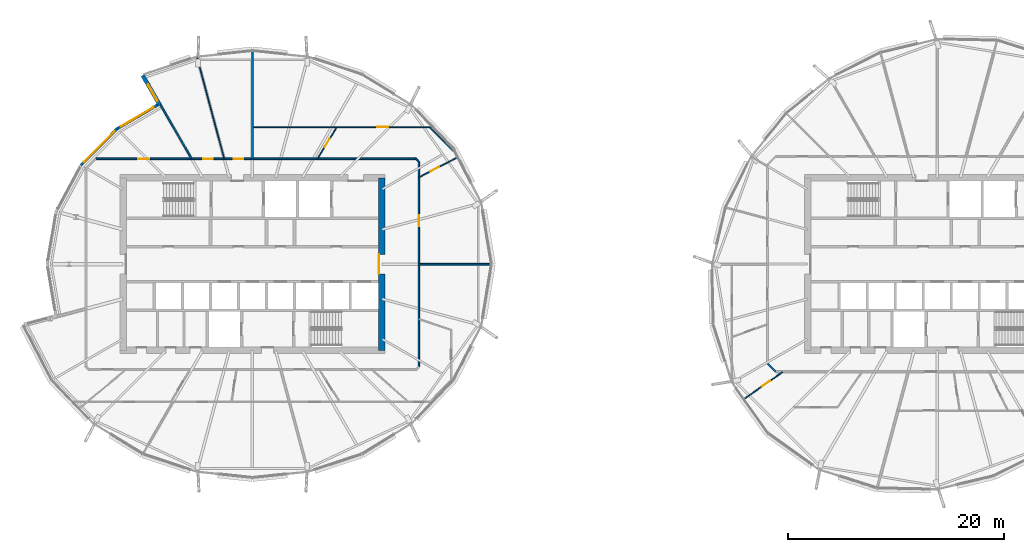
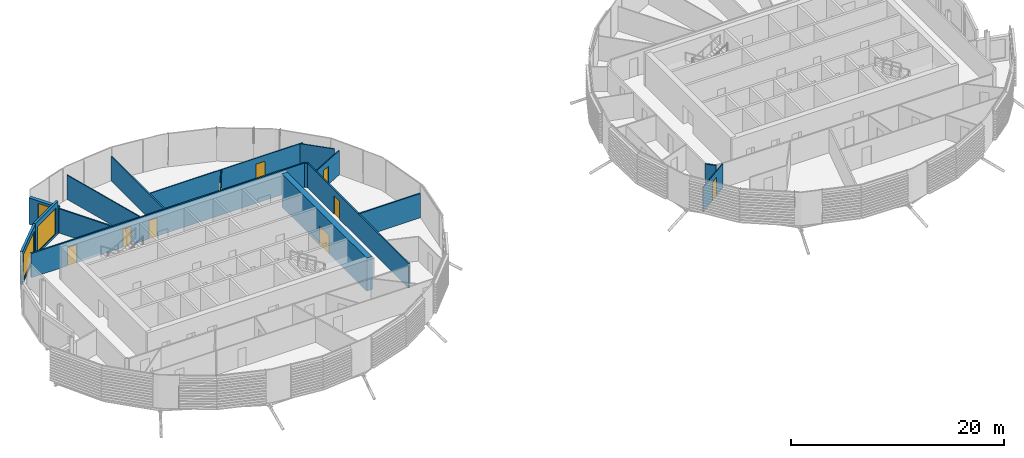
# One storey, part 20 of 36: 17 walls, 9 doors, 3 windows, 12 openings.
"""IFC4 building model written with IfcOpenShell, lengths in metres."""

from ifc_helpers import new_model, si_unit, direction, frame, frame_2d, origin, place, context, subcontext, project, spatial, rectangle, extrude, material, layer, layer_set, type_object, element, fill, save


model = new_model("IFC4")

# Units and contexts
model_context = context("Model", 3, precision=1e-05, world=origin(), true_north=direction((0.0, 1.0)))
body_context = subcontext(model_context, "Body", "Model", "MODEL_VIEW")
ifc_project = project(units=[si_unit("LENGTHUNIT", "METRE"), si_unit("AREAUNIT", "SQUARE_METRE"), si_unit("VOLUMEUNIT", "CUBIC_METRE"), si_unit("PLANEANGLEUNIT", "RADIAN"), si_unit("MASSUNIT", "GRAM", prefix="KILO")], contexts=[model_context])

# Site, building, storey
site_placement = place(None, origin())
site = spatial("IfcSite", under=ifc_project, at=site_placement, CompositionType="ELEMENT")
building_placement = place(site_placement, origin())
building = spatial("IfcBuilding", under=site, at=building_placement, Name="Rimbun Link Towers", CompositionType="ELEMENT")
storey_placement = place(building_placement, frame((0.0, 0.0, 174.10009765625)))
storey = spatial("IfcBuildingStorey", under=building, at=storey_placement, Name="L42", CompositionType="ELEMENT", Elevation=174.10009765625)

# Wall, opening, window
ifc_material_1 = material(Name="Dark enamelled glass spandrel on insulated aluminium backpan", Category="aluminium")
ifc_layer_1 = layer(ifc_material_1, 0.25)
ifc_layer_set_1 = layer_set([ifc_layer_1], Name="CS dark enamelled spandrel wall 250")
wall_type_1 = type_object("IfcWallType", Name="CS dark enamelled spandrel wall 250", PredefinedType="STANDARD", material=ifc_layer_set_1)
wall_1_placement = place(storey_placement, frame((-44.295654296875, 12.568115234375, 0.0), z_axis=(0.0, 0.0, 1.0), x_axis=(0.861951603812, 0.506990564691, 0.0)))
wall_1 = element("IfcWall", 1, at=wall_1_placement, inside=storey, type_object=wall_type_1, Name="Crease spandrel wall", PredefinedType="STANDARD", context=body_context, shape_type="SweptSolid", body=[
    extrude(rectangle(XDim=4.3310546875, YDim=0.25, at=frame_2d((2.16552734375, 0.0))), origin(), (0.0, 0.0, 1.0), 3.7998046875),
])
opening_1_placement = place(wall_1_placement, frame((0.41552734375, 0.0, 0.300048828125)))
opening_1 = element("IfcOpeningElement", 2, at=opening_1_placement, cuts=wall_1, Name="Opening WR35H295", PredefinedType="OPENING", context=body_context, shape_type="SweptSolid", body=[
    extrude(rectangle(XDim=3.5, YDim=2.949951171875, at=frame_2d((1.75, 1.47509765625))), frame((0.0, 0.135009765625, 0.0), z_axis=(0.0, -1.0, 0.0), x_axis=(1.0, 0.0, 0.0)), (0.0, 0.0, 1.0), 0.27001953125),
])
ifc_material_2 = material(Name="Aluminium framed fixed window, dark tinted low-e glass", Category="aluminium")
window_type_1 = type_object("IfcWindowType", Name="WR ribbon window 3500X2950", PartitioningType="SINGLE_PANEL", PredefinedType="WINDOW", material=ifc_material_2)
window_1_placement = place(opening_1_placement, origin())
window_1 = element("IfcWindow", 3, at=window_1_placement, inside=storey, type_object=window_type_1, Name="Crease ribbon window", OverallHeight=2.949951171875, OverallWidth=3.5, PartitioningType="SINGLE_PANEL", PredefinedType="WINDOW", context=body_context, shape_type="SweptSolid", body=[
    extrude(rectangle(XDim=3.5, YDim=2.949951171875, at=frame_2d((1.75, 1.47509765625))), frame((0.0, 0.030029296875, 0.0), z_axis=(0.0, -1.0, 0.0), x_axis=(1.0, 0.0, 0.0)), (0.0, 0.0, 1.0), 0.06005859375),
])
fill(opening_1, window_1)

wall_2_placement = place(storey_placement, frame((-47.65380859375, 9.19873046875, 0.0), z_axis=(0.0, 0.0, 1.0), x_axis=(0.705925404514, 0.7082861874, 0.0)))
wall_2 = element("IfcWall", 4, at=wall_2_placement, inside=storey, type_object=wall_type_1, Name="Crease spandrel wall", PredefinedType="STANDARD", context=body_context, shape_type="SweptSolid", body=[
    extrude(rectangle(XDim=4.757080078125, YDim=0.25, at=frame_2d((2.37841796875, 0.0))), origin(), (0.0, 0.0, 1.0), 3.7998046875),
])
opening_2_placement = place(wall_2_placement, frame((0.37841796875, 0.0, 0.300048828125)))
opening_2 = element("IfcOpeningElement", 5, at=opening_2_placement, cuts=wall_2, Name="Opening WR40H295", PredefinedType="OPENING", context=body_context, shape_type="SweptSolid", body=[
    extrude(rectangle(XDim=4.0, YDim=2.949951171875, at=frame_2d((2.0, 1.47509765625))), frame((0.0, 0.135009765625, 0.0), z_axis=(0.0, -1.0, 0.0), x_axis=(1.0, 0.0, 0.0)), (0.0, 0.0, 1.0), 0.27001953125),
])
ifc_material_3 = material(Name="Aluminium framed fixed window, dark tinted low-e glass", Category="aluminium")
window_type_2 = type_object("IfcWindowType", Name="WR ribbon window 4000X2950", PartitioningType="SINGLE_PANEL", PredefinedType="WINDOW", material=ifc_material_3)
window_2_placement = place(opening_2_placement, origin())
window_2 = element("IfcWindow", 6, at=window_2_placement, inside=storey, type_object=window_type_2, Name="Crease ribbon window", OverallHeight=2.949951171875, OverallWidth=4.0, PartitioningType="SINGLE_PANEL", PredefinedType="WINDOW", context=body_context, shape_type="SweptSolid", body=[
    extrude(rectangle(XDim=4.0, YDim=2.949951171875, at=frame_2d((2.0, 1.47509765625))), frame((0.0, 0.030029296875, 0.0), z_axis=(0.0, -1.0, 0.0), x_axis=(1.0, 0.0, 0.0)), (0.0, 0.0, 1.0), 0.06005859375),
])
fill(opening_2, window_2)

ifc_material_4 = material(Name="Dark enamelled glass spandrel on insulated aluminium backpan", Category="aluminium")
ifc_layer_2 = layer(ifc_material_4, 0.3701171875)
ifc_layer_set_2 = layer_set([ifc_layer_2], Name="CS dark enamelled spandrel wall 370")
wall_type_2 = type_object("IfcWallType", Name="CS dark enamelled spandrel wall 370", PredefinedType="STANDARD", material=ifc_layer_set_2)
wall_3_placement = place(storey_placement, frame((-40.3408203125, 14.749755859375, 0.0), z_axis=(0.0, 0.0, 1.0), x_axis=(-0.50002815445, 0.866009148195, 0.0)))
wall_3 = element("IfcWall", 7, at=wall_3_placement, inside=storey, type_object=wall_type_2, Name="Crease spandrel wall", PredefinedType="STANDARD", context=body_context, shape_type="SweptSolid", body=[
    extrude(rectangle(XDim=3.179931640625, YDim=0.3701171875, at=frame_2d((1.58984375, 0.0))), origin(), (0.0, 0.0, 1.0), 3.037353515625),
])
opening_3_placement = place(wall_3_placement, frame((0.44921875, 0.0, 0.300048828125)))
opening_3 = element("IfcOpeningElement", 8, at=opening_3_placement, cuts=wall_3, Name="Opening WR18H245", PredefinedType="OPENING", context=body_context, shape_type="SweptSolid", body=[
    extrude(rectangle(XDim=1.75, YDim=2.449951171875, at=frame_2d((0.875, 1.22509765625))), frame((0.0, 0.195068359375, 0.0), z_axis=(0.0, -1.0, 0.0), x_axis=(1.0, 0.0, 0.0)), (0.0, 0.0, 1.0), 0.39013671875),
])
ifc_material_5 = material(Name="Aluminium framed fixed window, dark tinted low-e glass", Category="aluminium")
window_type_3 = type_object("IfcWindowType", Name="WR ribbon window 1750X2450", PartitioningType="SINGLE_PANEL", PredefinedType="WINDOW", material=ifc_material_5)
window_3_placement = place(opening_3_placement, origin())
window_3 = element("IfcWindow", 9, at=window_3_placement, inside=storey, type_object=window_type_3, Name="Crease ribbon window", OverallHeight=2.449951171875, OverallWidth=1.75, PartitioningType="SINGLE_PANEL", PredefinedType="WINDOW", context=body_context, shape_type="SweptSolid", body=[
    extrude(rectangle(XDim=1.75, YDim=2.449951171875, at=frame_2d((0.875, 1.22509765625))), frame((0.0, 0.030029296875, 0.0), z_axis=(0.0, -1.0, 0.0), x_axis=(1.0, 0.0, 0.0)), (0.0, 0.0, 1.0), 0.06005859375),
])
fill(opening_3, window_3)

# Wall, opening, door
ifc_material_6 = material(Name="Concrete C60/75", Category="concrete")
ifc_layer_3 = layer(ifc_material_6, 0.60009765625)
ifc_layer_set_3 = layer_set([ifc_layer_3], Name="Core shear wall 600")
wall_type_3 = type_object("IfcWallType", Name="Core shear wall 600", PredefinedType="SHEAR", material=ifc_layer_set_3)
wall_4_placement = place(storey_placement, frame((-19.75, -8.0, 0.0), z_axis=(0.0, 0.0, 1.0), x_axis=(0.0, 1.0, 0.0)))
wall_4 = element("IfcWall", 10, at=wall_4_placement, inside=storey, type_object=wall_type_3, Name="L42 T1 core wall E", PredefinedType="SHEAR", context=body_context, shape_type="SweptSolid", body=[
    extrude(rectangle(XDim=16.0, YDim=0.60009765625, at=frame_2d((8.0, 0.0))), origin(), (0.0, 0.0, 1.0), 3.7998046875),
])
opening_4_placement = place(wall_4_placement, frame((7.10009765625, 0.0, 0.0)))
opening_4 = element("IfcOpeningElement", 11, at=opening_4_placement, cuts=wall_4, Name="Opening C1DCL01E", PredefinedType="OPENING", context=body_context, shape_type="SweptSolid", body=[
    extrude(rectangle(XDim=1.800048828125, YDim=2.10009765625, at=frame_2d((0.89990234375, 1.050048828125))), frame((0.0, 0.31005859375, 0.0), z_axis=(0.0, -1.0, 0.0), x_axis=(1.0, 0.0, 0.0)), (0.0, 0.0, 1.0), 0.6201171875),
])
ifc_material_7 = material(Name="Steel fire door set", Category="steel")
door_type_1 = type_object("IfcDoorType", Name="Core lobby door double", OperationType="DOUBLE_DOOR_SINGLE_SWING", PredefinedType="DOOR", material=ifc_material_7)
door_1_placement = place(opening_4_placement, origin())
door_1 = element("IfcDoor", 12, at=door_1_placement, inside=storey, type_object=door_type_1, Name="L42 T1 lift lobby door", OperationType="DOUBLE_DOOR_SINGLE_SWING", OverallHeight=2.10009765625, OverallWidth=1.800048828125, PredefinedType="DOOR", context=body_context, shape_type="SweptSolid", body=[
    extrude(rectangle(XDim=1.800048828125, YDim=2.10009765625, at=frame_2d((0.89990234375, 1.050048828125))), frame((0.0, 0.2998046875, 0.0), z_axis=(0.0, -1.0, 0.0), x_axis=(1.0, 0.0, 0.0)), (0.0, 0.0, 1.0), 0.050048828125),
])
fill(opening_4, door_1)

# Wall
ifc_material_8 = material(Name="Plasterboard on steel stud, mineral wool", Category="steel")
ifc_layer_4 = layer(ifc_material_8, 0.14990234375)
ifc_layer_set_4 = layer_set([ifc_layer_4], Name="Corridor wall EI 30 150 mm")
wall_type_4 = type_object("IfcWallType", Name="Corridor wall EI 30 150 mm", PredefinedType="PARTITIONING", material=ifc_layer_set_4)
wall_5_placement = place(storey_placement, frame((-16.31494140625, 9.513671875, 0.0), z_axis=(0.0, 0.0, 1.0), x_axis=(-0.707436973419, 0.706776434695, 0.0)))
element("IfcWall", 13, at=wall_5_placement, inside=storey, type_object=wall_type_4, Name="Corridor wall EI 30 150 mm", PredefinedType="PARTITIONING", context=body_context, shape_type="SweptSolid", body=[
    extrude(rectangle(XDim=0.36962890625, YDim=0.14990234375, at=frame_2d((0.184814453125, 0.0))), origin(), (0.0, 0.0, 1.0), 2.788818359375),
])

# Wall, opening, door
wall_6_placement = place(storey_placement, frame((-16.31494140625, 9.513671875, 0.0), z_axis=(0.0, 0.0, 1.0), x_axis=(0.0, -1.0, 0.0)))
wall_6 = element("IfcWall", 14, at=wall_6_placement, inside=storey, type_object=wall_type_4, Name="Corridor wall EI 30 150 mm", PredefinedType="PARTITIONING", context=body_context, shape_type="SweptSolid", body=[
    extrude(rectangle(XDim=19.02734375, YDim=0.14990234375, at=frame_2d((9.513671875, 0.0))), origin(), (0.0, 0.0, 1.0), 2.788818359375),
])
opening_5_placement = place(wall_6_placement, frame((4.9921875, 0.0, 0.0)))
opening_5 = element("IfcOpeningElement", 15, at=opening_5_placement, cuts=wall_6, Name="Opening D01", PredefinedType="OPENING", context=body_context, shape_type="SweptSolid", body=[
    extrude(rectangle(XDim=1.0, YDim=2.10009765625, at=frame_2d((0.5, 1.050048828125))), frame((0.0, 0.0849609375, 0.0), z_axis=(0.0, -1.0, 0.0), x_axis=(1.0, 0.0, 0.0)), (0.0, 0.0, 1.0), 0.169921875),
])
ifc_material_9 = material(Name="Fire-resisting timber door leaf", Category="wood")
door_type_2 = type_object("IfcDoorType", Name="Fire door FD30S 1000", OperationType="NOTDEFINED", PredefinedType="DOOR", material=ifc_material_9)
door_2_placement = place(opening_5_placement, origin())
door_2 = element("IfcDoor", 16, at=door_2_placement, inside=storey, type_object=door_type_2, Name="Fire door FD30S 1000 to Tenant lobby", OperationType="SINGLE_SWING_LEFT", OverallHeight=2.10009765625, OverallWidth=1.0, PredefinedType="DOOR", context=body_context, shape_type="SweptSolid", body=[
    extrude(rectangle(XDim=1.0, YDim=2.10009765625, at=frame_2d((0.5, 1.050048828125))), frame((0.0, 0.02490234375, 0.0), z_axis=(0.0, -1.0, 0.0), x_axis=(1.0, 0.0, 0.0)), (0.0, 0.0, 1.0), 0.050048828125),
])
fill(opening_5, door_2)

# Wall, openings, doors
wall_7_placement = place(storey_placement, frame((-46.267578125, 9.77490234375, 0.0), z_axis=(0.0, 0.0, 1.0), x_axis=(1.0, 0.0, 0.0)))
wall_7 = element("IfcWall", 17, at=wall_7_placement, inside=storey, type_object=wall_type_4, Name="Corridor wall EI 30 150 mm", PredefinedType="PARTITIONING", context=body_context, shape_type="SweptSolid", body=[
    extrude(rectangle(XDim=29.691162109375, YDim=0.14990234375, at=frame_2d((14.845703125, 0.0))), origin(), (0.0, 0.0, 1.0), 2.788818359375),
])
opening_6_placement = place(wall_7_placement, frame((12.758056640625, 0.0, 0.0)))
opening_6 = element("IfcOpeningElement", 18, at=opening_6_placement, cuts=wall_7, Name="Opening D02", PredefinedType="OPENING", context=body_context, shape_type="SweptSolid", body=[
    extrude(rectangle(XDim=0.89990234375, YDim=2.10009765625, at=frame_2d((0.449951171875, 1.050048828125))), frame((0.0, 0.0849609375, 0.0), z_axis=(0.0, -1.0, 0.0), x_axis=(1.0, 0.0, 0.0)), (0.0, 0.0, 1.0), 0.169921875),
])
opening_7_placement = place(wall_7_placement, frame((9.936279296875, 0.0, 0.0)))
opening_7 = element("IfcOpeningElement", 19, at=opening_7_placement, cuts=wall_7, Name="Opening D02", PredefinedType="OPENING", context=body_context, shape_type="SweptSolid", body=[
    extrude(rectangle(XDim=0.89990234375, YDim=2.10009765625, at=frame_2d((0.449951171875, 1.050048828125))), frame((0.0, 0.0849609375, 0.0), z_axis=(0.0, -1.0, 0.0), x_axis=(1.0, 0.0, 0.0)), (0.0, 0.0, 1.0), 0.169921875),
])
opening_8_placement = place(wall_7_placement, frame((3.93701171875, 0.0, 0.0)))
opening_8 = element("IfcOpeningElement", 20, at=opening_8_placement, cuts=wall_7, Name="Opening D01", PredefinedType="OPENING", context=body_context, shape_type="SweptSolid", body=[
    extrude(rectangle(XDim=1.0, YDim=2.10009765625, at=frame_2d((0.5, 1.050048828125))), frame((0.0, 0.0849609375, 0.0), z_axis=(0.0, -1.0, 0.0), x_axis=(1.0, 0.0, 0.0)), (0.0, 0.0, 1.0), 0.169921875),
])
door_3_placement = place(opening_8_placement, origin())
door_3 = element("IfcDoor", 21, at=door_3_placement, inside=storey, type_object=door_type_2, Name="Fire door FD30S 1000 to Terrace office", OperationType="SINGLE_SWING_RIGHT", OverallHeight=2.10009765625, OverallWidth=1.0, PredefinedType="DOOR", context=body_context, shape_type="SweptSolid", body=[
    extrude(rectangle(XDim=1.0, YDim=2.10009765625, at=frame_2d((0.5, 1.050048828125))), frame((0.0, 0.02490234375, 0.0), z_axis=(0.0, -1.0, 0.0), x_axis=(1.0, 0.0, 0.0)), (0.0, 0.0, 1.0), 0.050048828125),
])
fill(opening_8, door_3)
ifc_material_10 = material(Name="Fire-resisting timber door leaf", Category="wood")
door_type_3 = type_object("IfcDoorType", Name="Fire door FD30S 900", OperationType="NOTDEFINED", PredefinedType="DOOR", material=ifc_material_10)
door_4_placement = place(opening_6_placement, origin())
door_4 = element("IfcDoor", 22, at=door_4_placement, inside=storey, type_object=door_type_3, Name="Fire door FD30S 900 to Training room", OperationType="SINGLE_SWING_RIGHT", OverallHeight=2.10009765625, OverallWidth=0.89990234375, PredefinedType="DOOR", context=body_context, shape_type="SweptSolid", body=[
    extrude(rectangle(XDim=0.89990234375, YDim=2.10009765625, at=frame_2d((0.449951171875, 1.050048828125))), frame((0.0, 0.02490234375, 0.0), z_axis=(0.0, -1.0, 0.0), x_axis=(1.0, 0.0, 0.0)), (0.0, 0.0, 1.0), 0.050048828125),
])
fill(opening_6, door_4)
door_5_placement = place(opening_7_placement, origin())
door_5 = element("IfcDoor", 23, at=door_5_placement, inside=storey, type_object=door_type_3, Name="Fire door FD30S 900 to Meeting room", OperationType="SINGLE_SWING_LEFT", OverallHeight=2.10009765625, OverallWidth=0.89990234375, PredefinedType="DOOR", context=body_context, shape_type="SweptSolid", body=[
    extrude(rectangle(XDim=0.89990234375, YDim=2.10009765625, at=frame_2d((0.449951171875, 1.050048828125))), frame((0.0, 0.02490234375, 0.0), z_axis=(0.0, -1.0, 0.0), x_axis=(1.0, 0.0, 0.0)), (0.0, 0.0, 1.0), 0.050048828125),
])
fill(opening_7, door_5)

# Wall
wall_8_placement = place(storey_placement, frame((16.014892578125, -9.213623046875, 0.0), z_axis=(0.0, 0.0, 1.0), x_axis=(0.707106781187, -0.707106781187, 0.0)))
element("IfcWall", 24, at=wall_8_placement, inside=storey, type_object=wall_type_4, Name="Corridor wall EI 30 150 mm", PredefinedType="PARTITIONING", context=body_context, shape_type="SweptSolid", body=[
    extrude(rectangle(XDim=1.076904296875, YDim=0.14990234375, at=frame_2d((0.53857421875, 0.0))), origin(), (0.0, 0.0, 1.0), 2.788818359375),
])

# Wall, opening, door
ifc_material_11 = material(Name="Plasterboard on steel stud", Category="steel")
ifc_layer_5 = layer(ifc_material_11, 0.10009765625)
ifc_layer_set_5 = layer_set([ifc_layer_5], Name="Plasterboard partition 100 mm")
wall_type_5 = type_object("IfcWallType", Name="Plasterboard partition 100 mm", PredefinedType="PARTITIONING", material=ifc_layer_set_5)
wall_9_placement = place(storey_placement, frame((-16.31494140625, 8.042724609375, 0.0), z_axis=(0.0, 0.0, 1.0), x_axis=(0.886835045354, 0.46208614168, 0.0)))
wall_9 = element("IfcWall", 25, at=wall_9_placement, inside=storey, type_object=wall_type_5, Name="Plasterboard partition 100 mm", PredefinedType="PARTITIONING", context=body_context, shape_type="SweptSolid", body=[
    extrude(rectangle(XDim=4.034423828125, YDim=0.10009765625, at=frame_2d((2.01708984375, 0.0))), origin(), (0.0, 0.0, 1.0), 2.788818359375),
])
opening_9_placement = place(wall_9_placement, frame((1.20751953125, 0.0, 0.0)))
opening_9 = element("IfcOpeningElement", 26, at=opening_9_placement, cuts=wall_9, Name="Opening D04", PredefinedType="OPENING", context=body_context, shape_type="SweptSolid", body=[
    extrude(rectangle(XDim=0.89990234375, YDim=2.10009765625, at=frame_2d((0.449951171875, 1.050048828125))), frame((0.0, 0.06005859375, 0.0), z_axis=(0.0, -1.0, 0.0), x_axis=(1.0, 0.0, 0.0)), (0.0, 0.0, 1.0), 0.1201171875),
])
ifc_material_12 = material(Name="Timber door leaf", Category="wood")
door_type_4 = type_object("IfcDoorType", Name="Flush door 900", OperationType="NOTDEFINED", PredefinedType="DOOR", material=ifc_material_12)
door_6_placement = place(opening_9_placement, origin())
door_6 = element("IfcDoor", 27, at=door_6_placement, inside=storey, type_object=door_type_4, Name="Flush door 900 to Data room", OperationType="SINGLE_SWING_RIGHT", OverallHeight=2.10009765625, OverallWidth=0.89990234375, PredefinedType="DOOR", context=body_context, shape_type="SweptSolid", body=[
    extrude(rectangle(XDim=0.89990234375, YDim=2.10009765625, at=frame_2d((0.449951171875, 1.050048828125))), frame((0.0, 0.02490234375, 0.0), z_axis=(0.0, -1.0, 0.0), x_axis=(1.0, 0.0, 0.0)), (0.0, 0.0, 1.0), 0.050048828125),
])
fill(opening_9, door_6)

wall_10_placement = place(storey_placement, frame((-25.73388671875, 9.77490234375, 0.0), z_axis=(0.0, 0.0, 1.0), x_axis=(0.524093480001, 0.851660744792, 0.0)))
wall_10 = element("IfcWall", 28, at=wall_10_placement, inside=storey, type_object=wall_type_5, Name="Plasterboard partition 100 mm", PredefinedType="PARTITIONING", context=body_context, shape_type="SweptSolid", body=[
    extrude(rectangle(XDim=3.452392578125, YDim=0.10009765625, at=frame_2d((1.72607421875, 0.0))), origin(), (0.0, 0.0, 1.0), 2.788818359375),
])
opening_10_placement = place(wall_10_placement, frame((1.276123046875, 0.0, 0.0)))
opening_10 = element("IfcOpeningElement", 29, at=opening_10_placement, cuts=wall_10, Name="Opening D04", PredefinedType="OPENING", context=body_context, shape_type="SweptSolid", body=[
    extrude(rectangle(XDim=0.89990234375, YDim=2.10009765625, at=frame_2d((0.449951171875, 1.050048828125))), frame((0.0, 0.06005859375, 0.0), z_axis=(0.0, -1.0, 0.0), x_axis=(1.0, 0.0, 0.0)), (0.0, 0.0, 1.0), 0.1201171875),
])
door_7_placement = place(opening_10_placement, origin())
door_7 = element("IfcDoor", 30, at=door_7_placement, inside=storey, type_object=door_type_4, Name="Flush door 900 to Communications room", OperationType="SINGLE_SWING_LEFT", OverallHeight=2.10009765625, OverallWidth=0.89990234375, PredefinedType="DOOR", context=body_context, shape_type="SweptSolid", body=[
    extrude(rectangle(XDim=0.89990234375, YDim=2.10009765625, at=frame_2d((0.449951171875, 1.050048828125))), frame((0.0, 0.02490234375, 0.0), z_axis=(0.0, -1.0, 0.0), x_axis=(1.0, 0.0, 0.0)), (0.0, 0.0, 1.0), 0.050048828125),
])
fill(opening_10, door_7)

wall_11_placement = place(storey_placement, frame((-31.75, 12.715087890625, 0.0), z_axis=(0.0, 0.0, 1.0), x_axis=(1.0, 0.0, 0.0)))
wall_11 = element("IfcWall", 31, at=wall_11_placement, inside=storey, type_object=wall_type_5, Name="Plasterboard partition 100 mm", PredefinedType="PARTITIONING", context=body_context, shape_type="SweptSolid", body=[
    extrude(rectangle(XDim=16.67919921875, YDim=0.10009765625, at=frame_2d((8.339599609375, 0.0))), origin(), (0.0, 0.0, 1.0), 2.788818359375),
])
opening_11_placement = place(wall_11_placement, frame((11.5908203125, 0.0, 0.0)))
opening_11 = element("IfcOpeningElement", 32, at=opening_11_placement, cuts=wall_11, Name="Opening D03", PredefinedType="OPENING", context=body_context, shape_type="SweptSolid", body=[
    extrude(rectangle(XDim=1.0, YDim=2.10009765625, at=frame_2d((0.5, 1.050048828125))), frame((0.0, 0.06005859375, 0.0), z_axis=(0.0, -1.0, 0.0), x_axis=(1.0, 0.0, 0.0)), (0.0, 0.0, 1.0), 0.1201171875),
])
ifc_material_13 = material(Name="Timber door leaf", Category="wood")
door_type_5 = type_object("IfcDoorType", Name="Flush door 1000", OperationType="NOTDEFINED", PredefinedType="DOOR", material=ifc_material_13)
door_8_placement = place(opening_11_placement, origin())
door_8 = element("IfcDoor", 33, at=door_8_placement, inside=storey, type_object=door_type_5, Name="Flush door 1000 to Trading floor", OperationType="SINGLE_SWING_RIGHT", OverallHeight=2.10009765625, OverallWidth=1.0, PredefinedType="DOOR", context=body_context, shape_type="SweptSolid", body=[
    extrude(rectangle(XDim=1.0, YDim=2.10009765625, at=frame_2d((0.5, 1.050048828125))), frame((0.0, 0.02490234375, 0.0), z_axis=(0.0, -1.0, 0.0), x_axis=(1.0, 0.0, 0.0)), (0.0, 0.0, 1.0), 0.050048828125),
])
fill(opening_11, door_8)

# Walls
wall_12_placement = place(storey_placement, frame((-12.96142578125, 10.31787109375, 0.0), z_axis=(0.0, 0.0, 1.0), x_axis=(-0.707070771369, 0.70714278917, 0.0)))
element("IfcWall", 34, at=wall_12_placement, inside=storey, type_object=wall_type_5, Name="Plasterboard partition 100 mm", PredefinedType="PARTITIONING", context=body_context, shape_type="SweptSolid", body=[
    extrude(rectangle(XDim=3.389892578125, YDim=0.10009765625, at=frame_2d((1.69482421875, 0.0))), origin(), (0.0, 0.0, 1.0), 2.788818359375),
])
wall_13_placement = place(storey_placement, frame((-36.896484375, 19.20654296875, 0.0), z_axis=(0.0, 0.0, 1.0), x_axis=(0.258832734057, -0.965922158241, 0.0)))
element("IfcWall", 35, at=wall_13_placement, inside=storey, type_object=wall_type_5, Name="Plasterboard partition 100 mm", PredefinedType="PARTITIONING", context=body_context, shape_type="SweptSolid", body=[
    extrude(rectangle(XDim=9.764404296875, YDim=0.10009765625, at=frame_2d((4.88232421875, 0.0))), origin(), (0.0, 0.0, 1.0), 2.788818359375),
])

# Wall, opening, door
wall_14_placement = place(storey_placement, frame((17.415771484375, -10.0048828125, 0.0), z_axis=(0.0, 0.0, 1.0), x_axis=(-0.819993771432, -0.572372444141, 0.0)))
wall_14 = element("IfcWall", 36, at=wall_14_placement, inside=storey, type_object=wall_type_5, Name="Plasterboard partition 100 mm", PredefinedType="PARTITIONING", context=body_context, shape_type="SweptSolid", body=[
    extrude(rectangle(XDim=4.36181640625, YDim=0.10009765625, at=frame_2d((2.180908203125, 0.0))), origin(), (0.0, 0.0, 1.0), 2.788818359375),
])
opening_12_placement = place(wall_14_placement, frame((1.41845703125, 0.0, 0.0)))
opening_12 = element("IfcOpeningElement", 37, at=opening_12_placement, cuts=wall_14, Name="Opening D04", PredefinedType="OPENING", context=body_context, shape_type="SweptSolid", body=[
    extrude(rectangle(XDim=0.89990234375, YDim=2.10009765625, at=frame_2d((0.449951171875, 1.050048828125))), frame((0.0, 0.06005859375, 0.0), z_axis=(0.0, -1.0, 0.0), x_axis=(1.0, 0.0, 0.0)), (0.0, 0.0, 1.0), 0.1201171875),
])
door_9_placement = place(opening_12_placement, origin())
door_9 = element("IfcDoor", 38, at=door_9_placement, inside=storey, type_object=door_type_4, Name="Flush door 900 to Huddle room", OperationType="SINGLE_SWING_LEFT", OverallHeight=2.10009765625, OverallWidth=0.89990234375, PredefinedType="DOOR", context=body_context, shape_type="SweptSolid", body=[
    extrude(rectangle(XDim=0.89990234375, YDim=2.10009765625, at=frame_2d((0.449951171875, 1.050048828125))), frame((0.0, 0.02490234375, 0.0), z_axis=(0.0, -1.0, 0.0), x_axis=(1.0, 0.0, 0.0)), (0.0, 0.0, 1.0), 0.050048828125),
])
fill(opening_12, door_9)

# Walls
ifc_material_14 = material(Name="Plasterboard on steel stud, mineral wool", Category="steel")
ifc_layer_6 = layer(ifc_material_14, 0.14990234375)
ifc_layer_set_6 = layer_set([ifc_layer_6], Name="Tenancy separation wall EI 60 150 mm")
wall_type_6 = type_object("IfcWallType", Name="Tenancy separation wall EI 60 150 mm", PredefinedType="PARTITIONING", material=ifc_layer_set_6)
wall_15_placement = place(storey_placement, frame((-16.31494140625, 0.0, 0.0), z_axis=(0.0, 0.0, 1.0), x_axis=(1.0, 0.0, 0.0)))
element("IfcWall", 39, at=wall_15_placement, inside=storey, type_object=wall_type_6, Name="Tenancy separation wall EI 60 150 mm", PredefinedType="PARTITIONING", context=body_context, shape_type="SweptSolid", body=[
    extrude(rectangle(XDim=6.683349609375, YDim=0.14990234375, at=frame_2d((3.341796875, 0.0))), origin(), (0.0, 0.0, 1.0), 2.788818359375),
])
wall_16_placement = place(storey_placement, frame((-31.75, 9.77490234375, 0.0), z_axis=(0.0, 0.0, 1.0), x_axis=(0.0, 1.0, 0.0)))
element("IfcWall", 40, at=wall_16_placement, inside=storey, type_object=wall_type_6, Name="Tenancy separation wall EI 60 150 mm", PredefinedType="PARTITIONING", context=body_context, shape_type="SweptSolid", body=[
    extrude(rectangle(XDim=9.9736328125, YDim=0.14990234375, at=frame_2d((4.98681640625, 0.0))), origin(), (0.0, 0.0, 1.0), 2.788818359375),
])
wall_17_placement = place(storey_placement, frame((-37.3935546875, 9.77490234375, 0.0), z_axis=(0.0, 0.0, 1.0), x_axis=(-0.500017289984, 0.866015421177, 0.0)))
element("IfcWall", 41, at=wall_17_placement, inside=storey, type_object=wall_type_6, Name="Tenancy separation wall EI 60 150 mm", PredefinedType="PARTITIONING", context=body_context, shape_type="SweptSolid", body=[
    extrude(rectangle(XDim=5.781982421875, YDim=0.14990234375, at=frame_2d((2.89111328125, 0.0))), origin(), (0.0, 0.0, 1.0), 2.788818359375),
])

save(model, "model.ifc")
